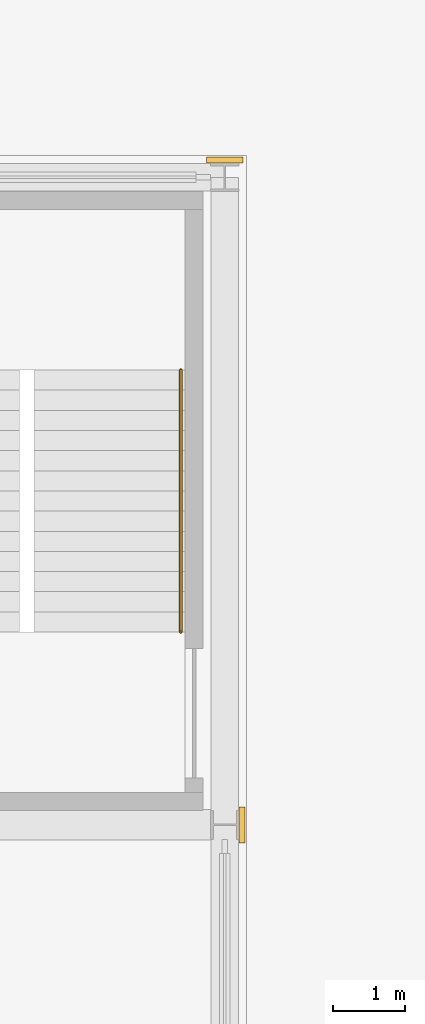
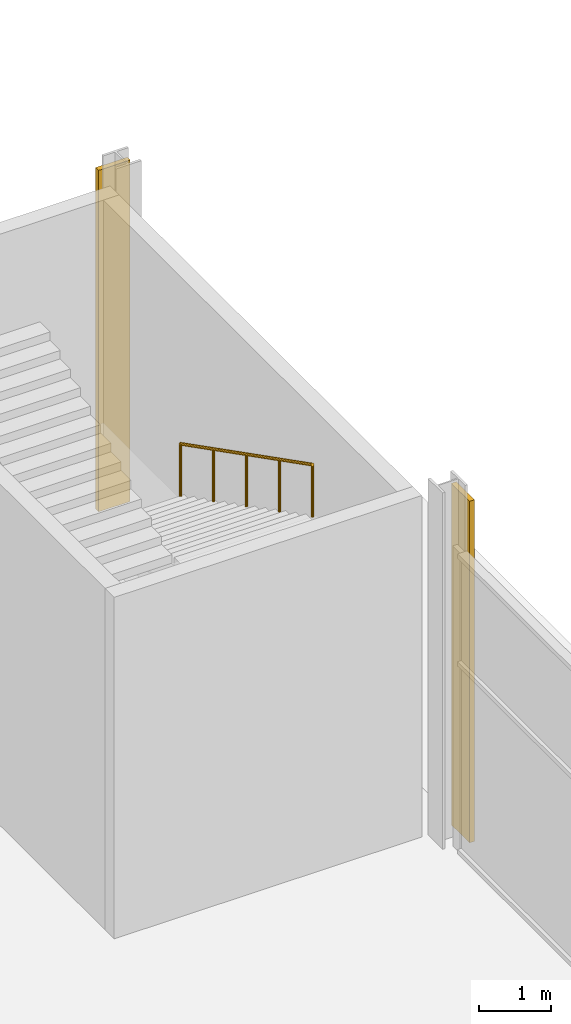
# One storey, part 32 of 34: 2 coverings, 1 railing.
"""IFC4 building model written with IfcOpenShell, lengths in metres."""

from ifc_helpers import new_model, si_unit, direction, frame, origin, origin_2d, place, context, subcontext, project, spatial, rectangle, circle, extrude, material, layer, layer_set, type_object, element, save


model = new_model("IFC4")

# Units and contexts
model_context = context("Model", 3, precision=1e-05, world=origin(), true_north=direction((0.0, 1.0)))
body_context = subcontext(model_context, "Body", "Model", "MODEL_VIEW")
ifc_project = project(units=[si_unit("LENGTHUNIT", "METRE"), si_unit("AREAUNIT", "SQUARE_METRE"), si_unit("VOLUMEUNIT", "CUBIC_METRE"), si_unit("PLANEANGLEUNIT", "RADIAN"), si_unit("MASSUNIT", "GRAM", prefix="KILO")], contexts=[model_context])

# Site, building, storey
site_placement = place(None, origin())
site = spatial("IfcSite", under=ifc_project, at=site_placement, CompositionType="ELEMENT")
building_placement = place(site_placement, origin())
building = spatial("IfcBuilding", under=site, at=building_placement, Name="Loomwork Tower", CompositionType="ELEMENT")
storey_placement = place(building_placement, origin())
storey = spatial("IfcBuildingStorey", under=building, at=storey_placement, Name="L00", CompositionType="ELEMENT", Elevation=0.0)

# Railing
ifc_material_1 = material(Name="Stainless steel handrail", Category="steel")
railing_type = type_object("IfcRailingType", Name="Handrail 900", PredefinedType="HANDRAIL", material=ifc_material_1)
railing_placement = place(storey_placement, frame((62.389892578125, 42.320068359375, 2.142822265625)))
element("IfcRailing", 1, at=railing_placement, inside=storey, type_object=railing_type, Name="Podium stair PS4 handrail flight 2 L00", PredefinedType="HANDRAIL", context=body_context, shape_type="SweptSolid", body=[
    extrude(circle(Radius=0.02392578125, at=origin_2d()), frame((0.0, 0.0, 0.8759765625), z_axis=(0.0, -0.890765324736, 0.45446356977), x_axis=(1.0, 0.0, 0.0)), (0.0, 0.0, 1.0), 4.08642578125),
    extrude(circle(Radius=0.02099609375, at=origin_2d()), origin(), (0.0, 0.0, 1.0), 0.851806640625),
    extrude(circle(Radius=0.02099609375, at=origin_2d()), frame((0.0, -0.91015625, 0.46435546875)), (0.0, 0.0, 1.0), 0.851806640625),
    extrude(circle(Radius=0.02099609375, at=origin_2d()), frame((0.0, -1.820068359375, 0.9287109375)), (0.0, 0.0, 1.0), 0.851806640625),
    extrude(circle(Radius=0.02099609375, at=origin_2d()), frame((0.0, -2.72998046875, 1.392822265625)), (0.0, 0.0, 1.0), 0.851806640625),
    extrude(circle(Radius=0.02099609375, at=origin_2d()), frame((0.0, -3.64013671875, 1.857177734375)), (0.0, 0.0, 1.0), 0.851806640625),
])

# Coverings
ifc_material_2 = material(Name="Limestone", Category="masonry")
ifc_layer = layer(ifc_material_2, 0.080078125)
ifc_layer_set = layer_set([ifc_layer], Name="Limestone pier facing 80")
covering_type = type_object("IfcCoveringType", Name="Limestone pier facing 80", PredefinedType="CLADDING", material=ifc_layer_set)
covering_1_placement = place(storey_placement, frame((63.239501953125, 36.0, 0.0), z_axis=(0.0, 0.0, 1.0), x_axis=(1.0, 0.0, 0.0)))
element("IfcCovering", 2, at=covering_1_placement, inside=storey, type_object=covering_type, Name="Pier facing H/9 L00", PredefinedType="CLADDING", context=body_context, shape_type="SweptSolid", body=[
    extrude(rectangle(XDim=0.080078125, YDim=0.501220703125, at=origin_2d()), origin(), (0.0, 0.0, 1.0), 5.75),
])
covering_2_placement = place(storey_placement, frame((63.0, 45.239501953125, 0.0), z_axis=(0.0, 0.0, 1.0), x_axis=(1.0, 0.0, 0.0)))
element("IfcCovering", 3, at=covering_2_placement, inside=storey, type_object=covering_type, Name="Pier facing J/9 L00", PredefinedType="CLADDING", context=body_context, shape_type="SweptSolid", body=[
    extrude(rectangle(XDim=0.501220703125, YDim=0.080078125, at=origin_2d()), origin(), (0.0, 0.0, 1.0), 5.75),
])

save(model, "model.ifc")
